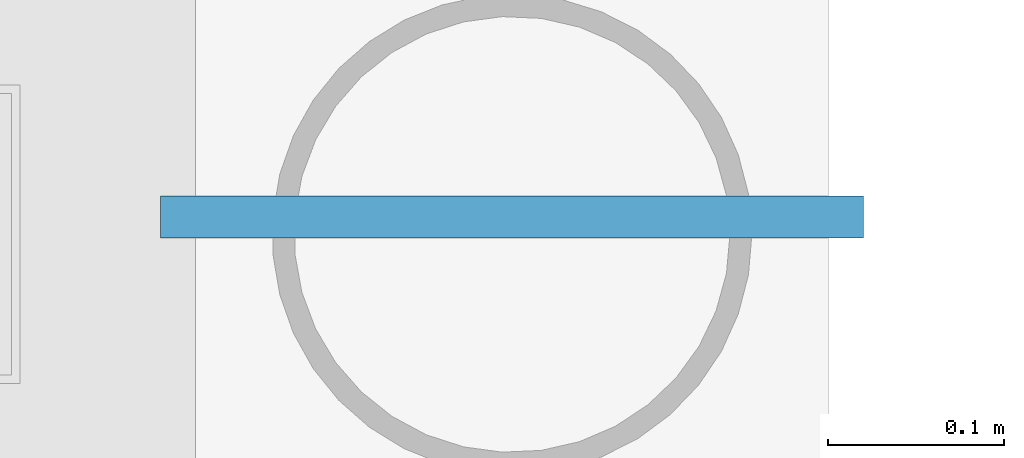
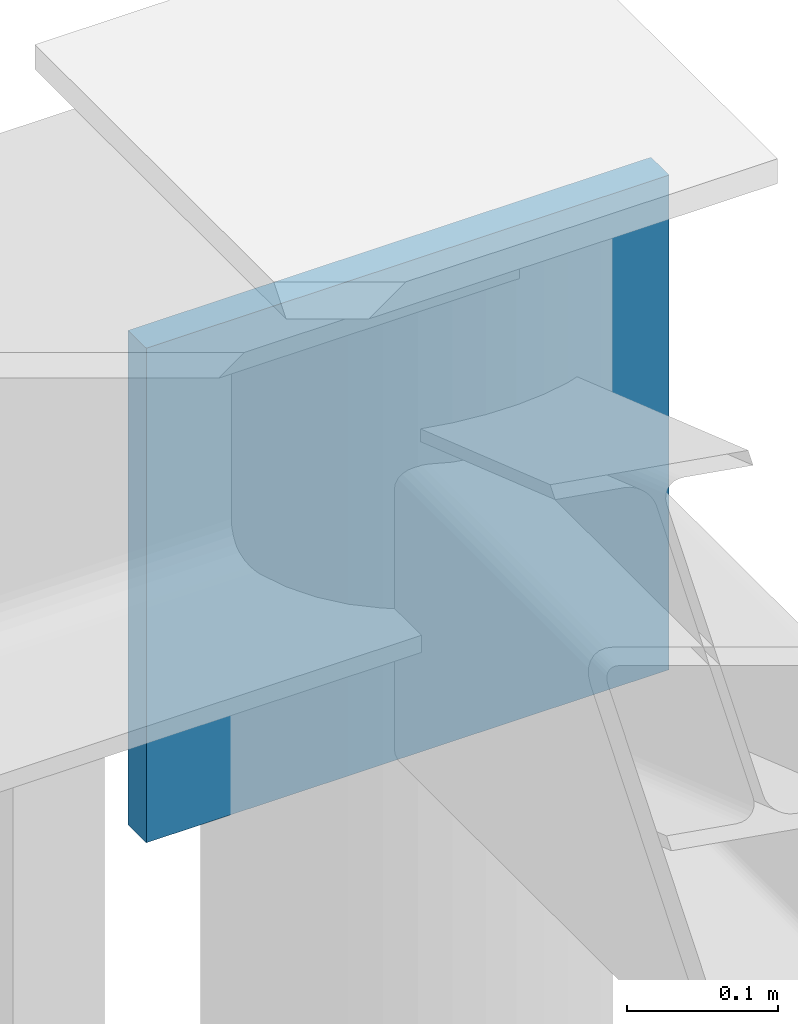
# One storey, part 105 of 117: 1 plate.
"""IFC4 building model written with IfcOpenShell, lengths in metres."""

from ifc_helpers import new_model, si_unit, direction, frame, origin, origin_2d, place, context, subcontext, project, spatial, rectangle, extrude, material, layer, layer_set, type_object, element, save


model = new_model("IFC4")

# Units and contexts
model_context = context("Model", 3, precision=1e-05, world=origin(), true_north=direction((0.0, 1.0)))
body_context = subcontext(model_context, "Body", "Model", "MODEL_VIEW")
ifc_project = project(units=[si_unit("LENGTHUNIT", "METRE"), si_unit("AREAUNIT", "SQUARE_METRE"), si_unit("VOLUMEUNIT", "CUBIC_METRE"), si_unit("PLANEANGLEUNIT", "RADIAN"), si_unit("MASSUNIT", "GRAM", prefix="KILO")], contexts=[model_context])

# Site, building, storey
site_placement = place(None, origin())
site = spatial("IfcSite", under=ifc_project, at=site_placement, CompositionType="ELEMENT")
building_placement = place(site_placement, origin())
building = spatial("IfcBuilding", under=site, at=building_placement, Name="Merenkruunu Market Hall", CompositionType="ELEMENT")
storey_placement = place(building_placement, frame((0.0, 0.0, 10.199951171875)))
storey = spatial("IfcBuildingStorey", under=building, at=storey_placement, Name="L02", CompositionType="ELEMENT", Elevation=10.199951171875)

# Plate
ifc_material = material(Name="Steel S355ML", Category="steel")
ifc_layer = layer(ifc_material, 0.02392578125)
ifc_layer_set = layer_set([ifc_layer], Name="Steel S355ML")
plate_type = type_object("IfcPlateType", Name="Truss Gusset Or Cap Plate CP06", PredefinedType="USERDEFINED", material=ifc_layer_set)
plate_placement = place(storey_placement, frame((76.800048828125, 99.610107421875, 2.090087890625), z_axis=(0.0, 0.0, 1.0), x_axis=(1.0, 0.0, 0.0)))
element("IfcPlate", 1, at=plate_placement, inside=storey, type_object=plate_type, Name="PLT-SPCAP-06", ObjectType="GUSSET_PLATE", PredefinedType="USERDEFINED", context=body_context, shape_type="SweptSolid", body=[
    extrude(rectangle(XDim=0.39990234375, YDim=0.02392578125, at=origin_2d()), origin(), (0.0, 0.0, 1.0), 0.39990234375),
])

save(model, "model.ifc")
